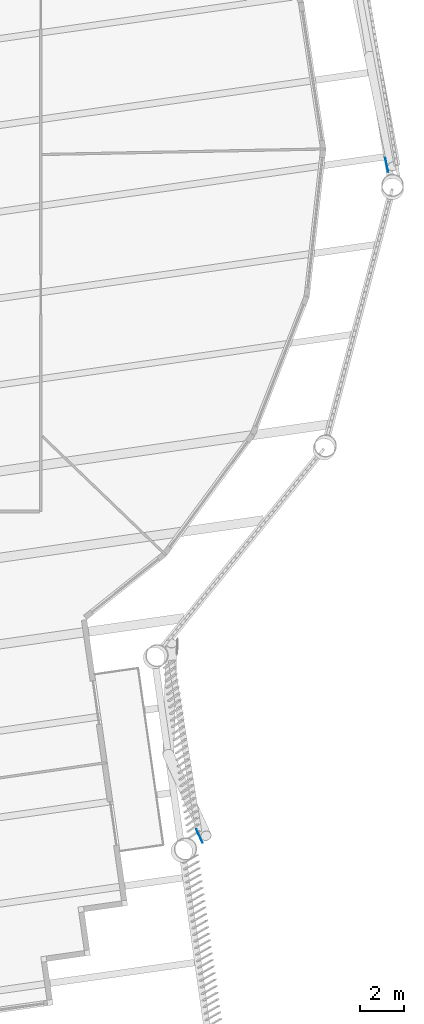
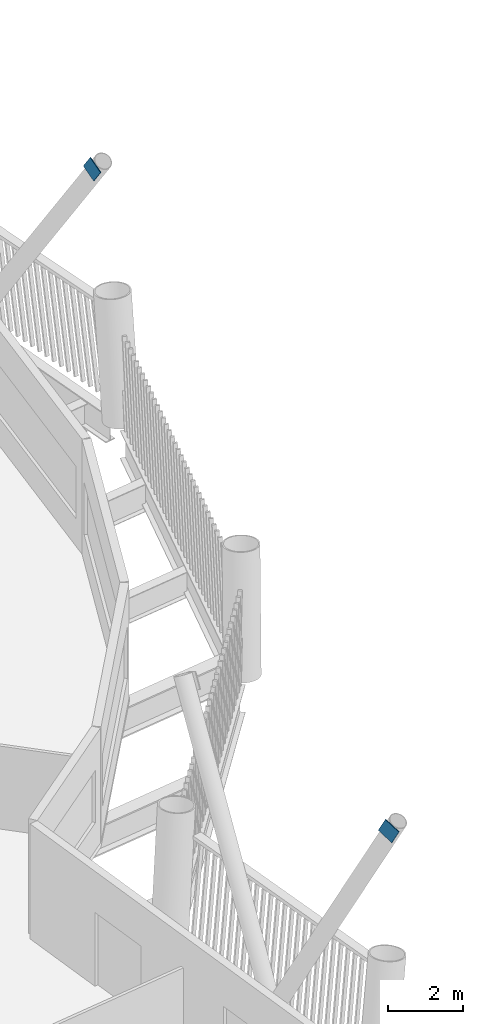
# One storey, part 13 of 22: 2 discrete accessories.
"""IFC4 building model written with IfcOpenShell, lengths in metres."""

from ifc_helpers import new_model, si_unit, direction, frame, origin, origin_2d, place, context, subcontext, project, spatial, rectangle, extrude, material, material_profile, profile_set, type_object, element, save


model = new_model("IFC4")

# Units and contexts
model_context = context("Model", 3, precision=1e-05, world=origin(), true_north=direction((0.0, 1.0)))
body_context = subcontext(model_context, "Body", "Model", "MODEL_VIEW")
ifc_project = project(units=[si_unit("LENGTHUNIT", "METRE"), si_unit("AREAUNIT", "SQUARE_METRE"), si_unit("VOLUMEUNIT", "CUBIC_METRE"), si_unit("PLANEANGLEUNIT", "RADIAN"), si_unit("MASSUNIT", "GRAM", prefix="KILO")], contexts=[model_context])

# Site, building, storey
site_placement = place(None, origin())
site = spatial("IfcSite", under=ifc_project, at=site_placement, CompositionType="ELEMENT")
building_placement = place(site_placement, origin())
building = spatial("IfcBuilding", under=site, at=building_placement, Name="Tarsis Ring Headquarters", CompositionType="ELEMENT")
storey_placement = place(building_placement, frame((0.0, 0.0, 263.0)))
storey = spatial("IfcBuildingStorey", under=building, at=storey_placement, Name="L61", CompositionType="ELEMENT", Elevation=263.0)

# Discrete accessories
ifc_material = material(Name="Structural steel S355", Category="steel")
ifc_material_profile = material_profile(ifc_material, rectangle(XDim=0.02490234375, YDim=0.5, at=origin_2d()), Name="PL 25x500")
ifc_profile_set = profile_set([ifc_material_profile], Name="Structural steel S355")
discrete_accessory_type = type_object("IfcDiscreteAccessoryType", Name="Gusset plate Exo brace 25", PredefinedType="BRACKET", material=ifc_profile_set)
for number, where, z_axis, x_axis, name in (
    (1, (20.283935546875, -30.8818359375, 7.800048828125), (-0.194348332843, 0.421413596089, -0.885798682858), (-0.908082534263, -0.418791249869, 0.0), "Gusset plate GP5"),
    (2, (28.7861328125, -0.3408203125, 7.800048828125), (-0.112297713126, 0.53805252115, -0.83539733547), (-0.978906453651, -0.204308969455, 0.0), "Gusset plate GP5"),
):
    element("IfcDiscreteAccessory", number, at=place(storey_placement, frame(where, z_axis=z_axis, x_axis=x_axis)), inside=storey, type_object=discrete_accessory_type, Name=name, PredefinedType="BRACKET", context=body_context, shape_type="SweptSolid", body=[
        extrude(rectangle(XDim=0.02490234375, YDim=0.5, at=origin_2d()), origin(), (0.0, 0.0, 1.0), 0.5),
    ])

save(model, "model.ifc")
